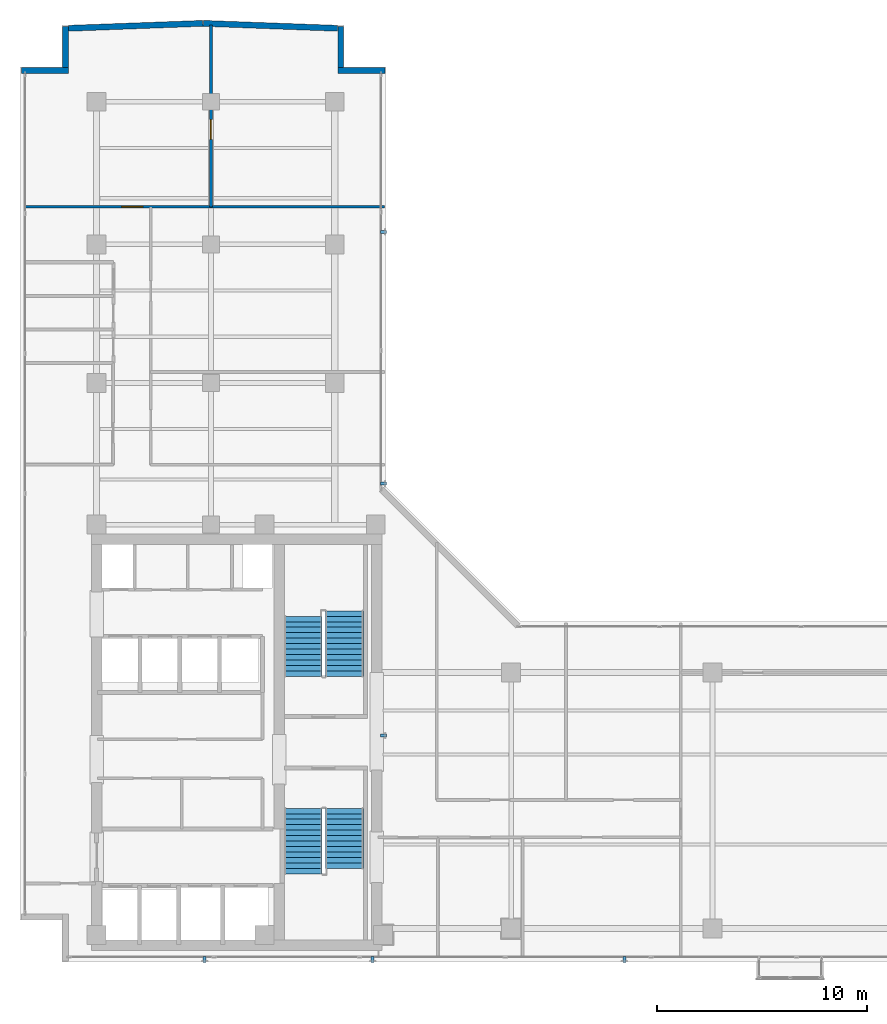
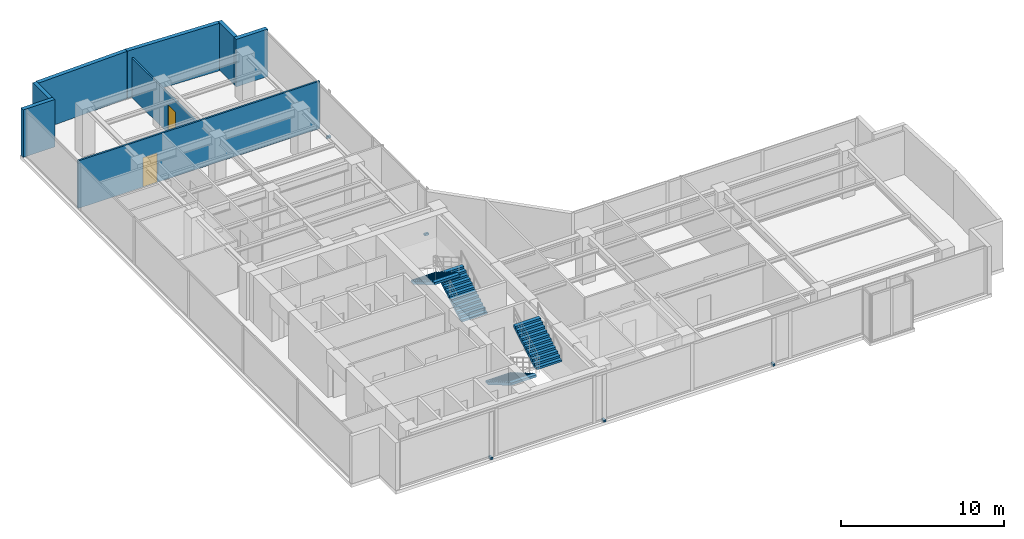
# One storey, part 18 of 23: 8 walls, 6 discrete accessories, 4 stair flights, 2 doors, 2 openings, 2 elements without a shape of their own.
"""IFC4 building model written with IfcOpenShell, lengths in metres."""

from ifc_helpers import new_model, si_unit, direction, frame, frame_2d, origin, origin_with_axes, origin_2d, place, context, subcontext, project, spatial, polyline, rectangle, outline, extrude, source, transform, mapped, material, layer, layer_set, type_object, element, fill, aggregate, save


model = new_model("IFC4")

# Units and contexts
model_context = context("Model", 3, precision=1e-05, world=origin(), true_north=direction((0.0, 1.0)))
body_context = subcontext(model_context, "Body", "Model", "MODEL_VIEW")
ifc_project = project(units=[si_unit("LENGTHUNIT", "METRE"), si_unit("AREAUNIT", "SQUARE_METRE"), si_unit("VOLUMEUNIT", "CUBIC_METRE"), si_unit("PLANEANGLEUNIT", "RADIAN"), si_unit("MASSUNIT", "GRAM", prefix="KILO")], contexts=[model_context])

# Site, building, storey
site_placement = place(None, origin())
site = spatial("IfcSite", under=ifc_project, at=site_placement, CompositionType="ELEMENT")
building_placement = place(site_placement, origin())
building = spatial("IfcBuilding", under=site, at=building_placement, Name="Kolvaren Waterfront Exchange", CompositionType="ELEMENT")
storey_placement = place(building_placement, frame((0.0, 0.0, 319.800048828125)))
storey = spatial("IfcBuildingStorey", under=building, at=storey_placement, Name="L82", CompositionType="ELEMENT", Elevation=319.800048828125)

# Walls
ifc_material_1 = material(Name="Precast concrete C40/50", Category="concrete")
ifc_layer_1 = layer(ifc_material_1, 0.280029296875, Name="Precast concrete C40/50")
ifc_layer_set_1 = layer_set([ifc_layer_1], Name="Precast concrete C40/50")
wall_type_1 = type_object("IfcWallType", Name="ARC-EXT-TERR-280", PredefinedType="SOLIDWALL", material=ifc_layer_set_1)
wall_1_placement = place(storey_placement, frame((18.942138671875, 46.08740234375, 0.0), z_axis=(0.0, 0.0, 1.0), x_axis=(1.0, 0.0, 0.0)))
element("IfcWall", 1, at=wall_1_placement, inside=storey, type_object=wall_type_1, Name="L82 notched corner spandrel pier NNE-A", PredefinedType="SOLIDWALL", context=body_context, shape_type="SweptSolid", body=[
    extrude(rectangle(XDim=2.239990234375, YDim=0.280029296875, at=frame_2d((1.1201171875, 0.0))), origin(), (0.0, 0.0, 1.0), 3.56005859375),
])
wall_2_placement = place(storey_placement, frame((19.08203125, 46.227294921875, 0.0), z_axis=(0.0, 0.0, 1.0), x_axis=(0.0, 1.0, 0.0)))
element("IfcWall", 2, at=wall_2_placement, inside=storey, type_object=wall_type_1, Name="L82 notched corner spandrel pier NNE-B", PredefinedType="SOLIDWALL", context=body_context, shape_type="SweptSolid", body=[
    extrude(rectangle(XDim=1.960205078125, YDim=0.280029296875, at=frame_2d((0.97998046875, 0.0))), origin(), (0.0, 0.0, 1.0), 3.56005859375),
])
wall_3_placement = place(storey_placement, frame((3.860107421875, 46.08740234375, 0.0), z_axis=(0.0, 0.0, 1.0), x_axis=(1.0, 0.0, 0.0)))
element("IfcWall", 3, at=wall_3_placement, inside=storey, type_object=wall_type_1, Name="L82 notched corner spandrel pier NW-A", PredefinedType="SOLIDWALL", context=body_context, shape_type="SweptSolid", body=[
    extrude(rectangle(XDim=2.239990234375, YDim=0.280029296875, at=frame_2d((1.1201171875, 0.0))), origin(), (0.0, 0.0, 1.0), 3.56005859375),
])
wall_4_placement = place(storey_placement, frame((5.9599609375, 46.227294921875, 0.0), z_axis=(0.0, 0.0, 1.0), x_axis=(0.0, 1.0, 0.0)))
element("IfcWall", 4, at=wall_4_placement, inside=storey, type_object=wall_type_1, Name="L82 notched corner spandrel pier NW-B", PredefinedType="SOLIDWALL", context=body_context, shape_type="SweptSolid", body=[
    extrude(rectangle(XDim=1.960205078125, YDim=0.280029296875, at=frame_2d((0.97998046875, 0.0))), origin(), (0.0, 0.0, 1.0), 3.56005859375),
])
for number, where, z_axis, x_axis, name in (
    (5, (18.936279296875, 48.098388671875, 0.0), (0.0, 0.0, 1.0), (-0.999321968084, 0.036818529355, 0.0), "L82 north prow faceted facade wall 1"),
    (6, (12.5068359375, 48.334228515625, 0.0), (0.0, 0.0, 1.0), (-0.999321968084, -0.036818529355, 0.0), "L82 north prow faceted facade wall 2"),
):
    element("IfcWall", number, at=place(storey_placement, frame(where, z_axis=z_axis, x_axis=x_axis)), inside=storey, type_object=wall_type_1, Name=name, PredefinedType="SOLIDWALL", context=body_context, shape_type="SweptSolid", body=[
        extrude(rectangle(XDim=6.405517578125, YDim=0.280029296875, at=frame_2d((3.20263671875, 0.0))), origin(), (0.0, 0.0, 1.0), 3.56005859375),
    ])

# Wall, opening, door
ifc_material_2 = material(Name="Acoustic gypsum steel stud", Category="steel")
ifc_layer_2 = layer(ifc_material_2, 0.125, Name="Acoustic gypsum steel stud")
ifc_layer_set_2 = layer_set([ifc_layer_2], Name="Acoustic gypsum steel stud")
wall_type_2 = type_object("IfcWallType", Name="ARC-PART-125", PredefinedType="PARTITIONING", material=ifc_layer_set_2)
wall_5_placement = place(storey_placement, frame((4.0400390625, 39.590087890625, 0.0), z_axis=(0.0, 0.0, 1.0), x_axis=(1.0, 0.0, 0.0)))
wall_5 = element("IfcWall", 7, at=wall_5_placement, inside=storey, type_object=wall_type_2, Name="L82 interior wall PW-L82-NTIP-S", PredefinedType="PARTITIONING", context=body_context, shape_type="SweptSolid", body=[
    extrude(rectangle(XDim=17.119873046875, YDim=0.125, at=frame_2d((8.56005859375, 0.0))), origin(), (0.0, 0.0, 1.0), 3.56005859375),
])
opening_1_placement = place(wall_5_placement, frame((4.60009765625, 0.0, 0.0)))
opening_1 = element("IfcOpeningElement", 8, at=opening_1_placement, cuts=wall_5, Name="Opening D03", PredefinedType="OPENING", context=body_context, shape_type="SweptSolid", body=[
    extrude(rectangle(XDim=1.0, YDim=2.199951171875, at=frame_2d((0.5, 1.10009765625))), frame((0.0, 0.072509765625, 0.0), z_axis=(0.0, -1.0, 0.0), x_axis=(1.0, 0.0, 0.0)), (0.0, 0.0, 1.0), 0.14501953125),
])
ifc_material_3 = material(Name="Oak veneer accessible timber", Category="wood")
door_type_1 = type_object("IfcDoorType", Name="ARC-DR-1000", OperationType="NOTDEFINED", PredefinedType="DOOR", material=ifc_material_3)
door_1_placement = place(opening_1_placement, origin())
door_1 = element("IfcDoor", 9, at=door_1_placement, inside=storey, type_object=door_type_1, Name="L82 door DR-L82-NTIPW-D (D03)", OperationType="SINGLE_SWING_RIGHT", OverallHeight=2.199951171875, OverallWidth=1.0, PredefinedType="DOOR", context=body_context, shape_type="SweptSolid", body=[
    extrude(rectangle(XDim=1.0, YDim=2.199951171875, at=frame_2d((0.5, 1.10009765625))), frame((0.0, 0.02490234375, 0.0), z_axis=(0.0, -1.0, 0.0), x_axis=(1.0, 0.0, 0.0)), (0.0, 0.0, 1.0), 0.050048828125),
])
fill(opening_1, door_1)

wall_6_placement = place(storey_placement, frame((12.89990234375, 39.590087890625, 0.0), z_axis=(0.0, 0.0, 1.0), x_axis=(0.0, 1.0, 0.0)))
wall_6 = element("IfcWall", 10, at=wall_6_placement, inside=storey, type_object=wall_type_2, Name="L82 interior wall PW-L82-NTIP-DIV", PredefinedType="PARTITIONING", context=body_context, shape_type="SweptSolid", body=[
    extrude(rectangle(XDim=8.664794921875, YDim=0.125, at=frame_2d((4.33251953125, 0.0))), origin(), (0.0, 0.0, 1.0), 2.9599609375),
])
opening_2_placement = place(wall_6_placement, frame((3.2119140625, 0.0, 0.0)))
opening_2 = element("IfcOpeningElement", 11, at=opening_2_placement, cuts=wall_6, Name="Opening D02", PredefinedType="OPENING", context=body_context, shape_type="SweptSolid", body=[
    extrude(rectangle(XDim=0.949951171875, YDim=2.14990234375, at=frame_2d((0.47509765625, 1.074951171875))), frame((0.0, 0.072509765625, 0.0), z_axis=(0.0, -1.0, 0.0), x_axis=(1.0, 0.0, 0.0)), (0.0, 0.0, 1.0), 0.14501953125),
])
ifc_material_4 = material(Name="Oak veneer acoustic timber", Category="wood")
door_type_2 = type_object("IfcDoorType", Name="ARC-DR-950", OperationType="NOTDEFINED", PredefinedType="DOOR", material=ifc_material_4)
door_2_placement = place(opening_2_placement, origin())
door_2 = element("IfcDoor", 12, at=door_2_placement, inside=storey, type_object=door_type_2, Name="L82 door DR-L82-NTIPE-D (D02)", OperationType="SINGLE_SWING_LEFT", OverallHeight=2.14990234375, OverallWidth=0.949951171875, PredefinedType="DOOR", context=body_context, shape_type="SweptSolid", body=[
    extrude(rectangle(XDim=0.949951171875, YDim=2.14990234375, at=frame_2d((0.47509765625, 1.074951171875))), frame((0.0, 0.02490234375, 0.0), z_axis=(0.0, -1.0, 0.0), x_axis=(1.0, 0.0, 0.0)), (0.0, 0.0, 1.0), 0.050048828125),
])
fill(opening_2, door_2)

# Stair, stair flights
ifc_material_5 = material(Name="Concrete C40/50", Category="concrete")
stair_type = type_object("IfcStairType", Name="ARC-STAIR-3800", PredefinedType="HALF_TURN_STAIR", material=ifc_material_5)
stair_1_placement = place(storey_placement, origin())
stair_1 = element("IfcStair", 13, at=stair_1_placement, inside=storey, type_object=stair_type, Name="L82 Smoke-proof exit stair ST1", PredefinedType="HALF_TURN_STAIR")
stair_flight_type = type_object("IfcStairFlightType", Name="ARC-FLIGHT-3800", PredefinedType="STRAIGHT", material=ifc_material_5)
stair_flight_1_placement = place(storey_placement, frame((17.300048828125, 10.929931640625, 0.0), z_axis=(0.0, 0.0, 1.0), x_axis=(0.0, -1.0, 0.0)))
stair_flight_1 = element("IfcStairFlight", 14, at=stair_flight_1_placement, type_object=stair_flight_type, Name="ST1 flight 1", NumberOfRisers=13, NumberOfTreads=12, PredefinedType="STRAIGHT", RiserHeight=0.152, TreadLength=0.26, context=body_context, shape_type="SweptSolid", body=[
    extrude(outline(polyline([(0.0, 0.0), (0.0, 0.152099609375), (0.260009765625, 0.152099609375), (0.260009765625, 0.303955078125), (0.52001953125, 0.303955078125), (0.52001953125, 0.4560546875), (0.780029296875, 0.4560546875), (0.780029296875, 0.60791015625), (1.0400390625, 0.60791015625), (1.0400390625, 0.760009765625), (1.300048828125, 0.760009765625), (1.300048828125, 0.912109375), (1.56005859375, 0.912109375), (1.56005859375, 1.06396484375), (1.820068359375, 1.06396484375), (1.820068359375, 1.216064453125), (2.080078125, 1.216064453125), (2.080078125, 1.367919921875), (2.340087890625, 1.367919921875), (2.340087890625, 1.52001953125), (2.60009765625, 1.52001953125), (2.60009765625, 1.672119140625), (2.860107421875, 1.672119140625), (2.860107421875, 1.823974609375), (3.1201171875, 1.823974609375), (3.1201171875, 1.97607421875), (3.1201171875, 1.650390625), (0.297119140625, 0.0), (0.0, 0.0)])), frame((0.0, 0.89990234375, 0.0), z_axis=(0.0, -1.0, 0.0), x_axis=(1.0, 0.0, 0.0)), (0.0, 0.0, 1.0), 1.800048828125),
])
stair_flight_2_placement = place(storey_placement, frame((19.260009765625, 8.070068359375, 1.975830078125), z_axis=(0.0, 0.0, 1.0), x_axis=(0.0, 1.0, 0.0)))
stair_flight_2 = element("IfcStairFlight", 15, at=stair_flight_2_placement, type_object=stair_flight_type, Name="ST1 flight 2", NumberOfRisers=12, NumberOfTreads=11, PredefinedType="STRAIGHT", RiserHeight=0.152, TreadLength=0.26, context=body_context, shape_type="SweptSolid", body=[
    extrude(outline(polyline([(0.0, 0.0), (0.0, 0.152099609375), (0.260009765625, 0.152099609375), (0.260009765625, 0.303955078125), (0.52001953125, 0.303955078125), (0.52001953125, 0.4560546875), (0.780029296875, 0.4560546875), (0.780029296875, 0.60791015625), (1.0400390625, 0.60791015625), (1.0400390625, 0.760009765625), (1.300048828125, 0.760009765625), (1.300048828125, 0.912109375), (1.56005859375, 0.912109375), (1.56005859375, 1.06396484375), (1.820068359375, 1.06396484375), (1.820068359375, 1.216064453125), (2.080078125, 1.216064453125), (2.080078125, 1.367919921875), (2.340087890625, 1.367919921875), (2.340087890625, 1.52001953125), (2.60009765625, 1.52001953125), (2.60009765625, 1.672119140625), (2.860107421875, 1.672119140625), (2.860107421875, 1.823974609375), (2.860107421875, 1.498291015625), (0.297119140625, 0.0), (0.0, 0.0)])), frame((0.0, 0.89990234375, 0.0), z_axis=(0.0, -1.0, 0.0), x_axis=(1.0, 0.0, 0.0)), (0.0, 0.0, 1.0), 1.800048828125),
])
aggregate(stair_1, [stair_flight_1, stair_flight_2])

stair_2_placement = place(storey_placement, origin())
stair_2 = element("IfcStair", 16, at=stair_2_placement, inside=storey, type_object=stair_type, Name="L82 Smoke-proof exit stair ST2", PredefinedType="HALF_TURN_STAIR")
stair_flight_3_placement = place(storey_placement, frame((19.260009765625, 17.219970703125, 0.0), z_axis=(0.0, 0.0, 1.0), x_axis=(0.0, 1.0, 0.0)))
stair_flight_3 = element("IfcStairFlight", 17, at=stair_flight_3_placement, type_object=stair_flight_type, Name="ST2 flight 1", NumberOfRisers=13, NumberOfTreads=12, PredefinedType="STRAIGHT", RiserHeight=0.152, TreadLength=0.26, context=body_context, shape_type="SweptSolid", body=[
    extrude(outline(polyline([(0.0, 0.0), (0.0, 0.152099609375), (0.260009765625, 0.152099609375), (0.260009765625, 0.303955078125), (0.52001953125, 0.303955078125), (0.52001953125, 0.4560546875), (0.780029296875, 0.4560546875), (0.780029296875, 0.60791015625), (1.0400390625, 0.60791015625), (1.0400390625, 0.760009765625), (1.300048828125, 0.760009765625), (1.300048828125, 0.912109375), (1.56005859375, 0.912109375), (1.56005859375, 1.06396484375), (1.820068359375, 1.06396484375), (1.820068359375, 1.216064453125), (2.080078125, 1.216064453125), (2.080078125, 1.367919921875), (2.340087890625, 1.367919921875), (2.340087890625, 1.52001953125), (2.60009765625, 1.52001953125), (2.60009765625, 1.672119140625), (2.860107421875, 1.672119140625), (2.860107421875, 1.823974609375), (3.1201171875, 1.823974609375), (3.1201171875, 1.97607421875), (3.1201171875, 1.650390625), (0.297119140625, 0.0), (0.0, 0.0)])), frame((0.0, 0.89990234375, 0.0), z_axis=(0.0, -1.0, 0.0), x_axis=(1.0, 0.0, 0.0)), (0.0, 0.0, 1.0), 1.800048828125),
])
stair_flight_4_placement = place(storey_placement, frame((17.300048828125, 20.080078125, 1.975830078125), z_axis=(0.0, 0.0, 1.0), x_axis=(0.0, -1.0, 0.0)))
stair_flight_4 = element("IfcStairFlight", 18, at=stair_flight_4_placement, type_object=stair_flight_type, Name="ST2 flight 2", NumberOfRisers=12, NumberOfTreads=11, PredefinedType="STRAIGHT", RiserHeight=0.152, TreadLength=0.26, context=body_context, shape_type="SweptSolid", body=[
    extrude(outline(polyline([(0.0, 0.0), (0.0, 0.152099609375), (0.260009765625, 0.152099609375), (0.260009765625, 0.303955078125), (0.52001953125, 0.303955078125), (0.52001953125, 0.4560546875), (0.780029296875, 0.4560546875), (0.780029296875, 0.60791015625), (1.0400390625, 0.60791015625), (1.0400390625, 0.760009765625), (1.300048828125, 0.760009765625), (1.300048828125, 0.912109375), (1.56005859375, 0.912109375), (1.56005859375, 1.06396484375), (1.820068359375, 1.06396484375), (1.820068359375, 1.216064453125), (2.080078125, 1.216064453125), (2.080078125, 1.367919921875), (2.340087890625, 1.367919921875), (2.340087890625, 1.52001953125), (2.60009765625, 1.52001953125), (2.60009765625, 1.672119140625), (2.860107421875, 1.672119140625), (2.860107421875, 1.823974609375), (2.860107421875, 1.498291015625), (0.297119140625, 0.0), (0.0, 0.0)])), frame((0.0, 0.89990234375, 0.0), z_axis=(0.0, -1.0, 0.0), x_axis=(1.0, 0.0, 0.0)), (0.0, 0.0, 1.0), 1.800048828125),
])
aggregate(stair_2, [stair_flight_3, stair_flight_4])

# Discrete accessories
ifc_material_6 = material(Name="Stainless steel 316", Category="steel")
discrete_accessory_type = type_object("IfcDiscreteAccessoryType", Name="ARC-BRK-FIN", PredefinedType="BRACKET", material=ifc_material_6)
shared_shape = source(origin_with_axes(), body_context, "Body", "SweptSolid", [
    extrude(rectangle(XDim=0.280029296875, YDim=0.139892578125, at=origin_2d()), origin(), (0.0, 0.0, 1.0), 0.159912109375),
])
for number, where, z_axis, x_axis, name in (
    (19, (12.60009765625, 3.719970703125, 0.0), (0.0, 0.0, 1.0), (0.0, -1.0, 0.0), "L82 bronze fin anchor bracket FIN-L82-S1"),
    (20, (20.60009765625, 3.719970703125, 0.0), (0.0, 0.0, 1.0), (0.0, -1.0, 0.0), "L82 bronze fin anchor bracket FIN-L82-S2"),
    (21, (32.60009765625, 3.719970703125, 0.0), (0.0, 0.0, 1.0), (0.0, -1.0, 0.0), "L82 bronze fin anchor bracket FIN-L82-S3"),
    (22, (21.1220703125, 14.39990234375, 0.0), (0.0, 0.0, 1.0), (1.0, 0.0, 0.0), "L82 bronze fin anchor bracket FIN-L82-E1"),
    (23, (21.1220703125, 26.39990234375, 0.0), (0.0, 0.0, 1.0), (1.0, 0.0, 0.0), "L82 bronze fin anchor bracket FIN-L82-E2"),
    (24, (21.1220703125, 38.39990234375, 0.0), (0.0, 0.0, 1.0), (1.0, 0.0, 0.0), "L82 bronze fin anchor bracket FIN-L82-E3"),
):
    element("IfcDiscreteAccessory", number, at=place(storey_placement, frame(where, z_axis=z_axis, x_axis=x_axis)), inside=storey, type_object=discrete_accessory_type, Name=name, PredefinedType="BRACKET", context=body_context, shape_type="MappedRepresentation", body=[
        mapped(shared_shape, transform((0.0, 0.0, 0.0), x_axis=(1.0, 0.0, 0.0), y_axis=(0.0, 1.0, 0.0), z_axis=(0.0, 0.0, 1.0), scale=1.0)),
    ])

save(model, "model.ifc")
